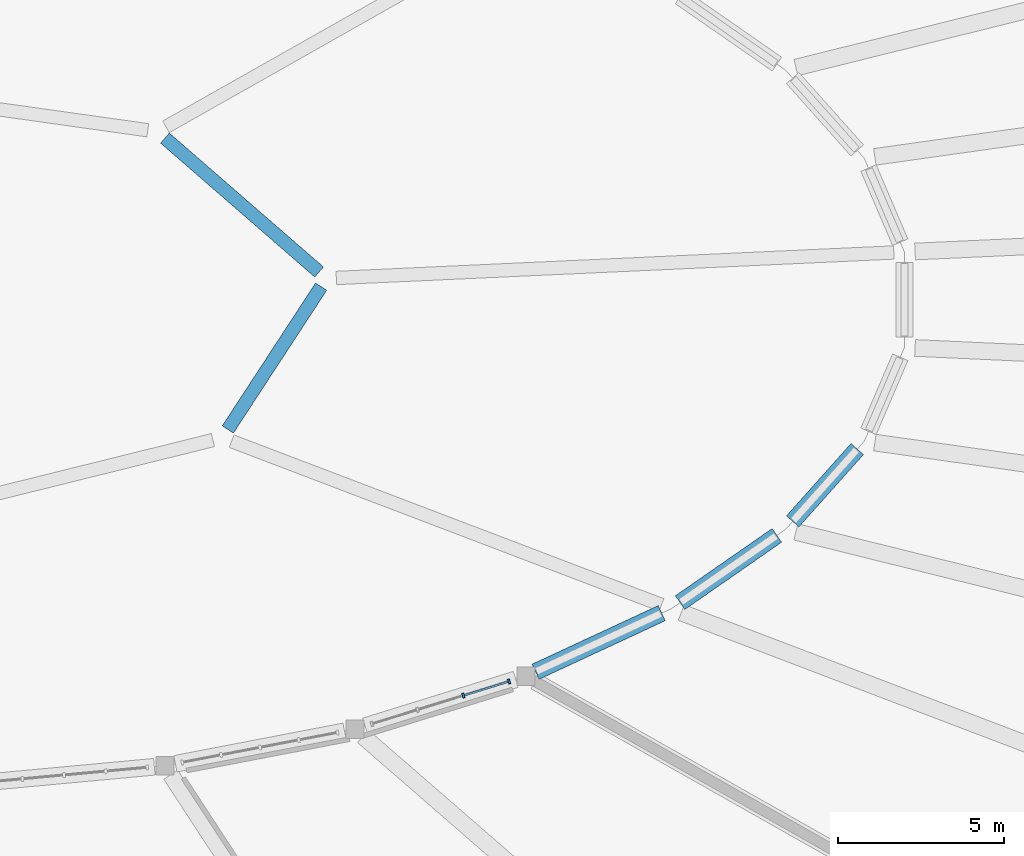
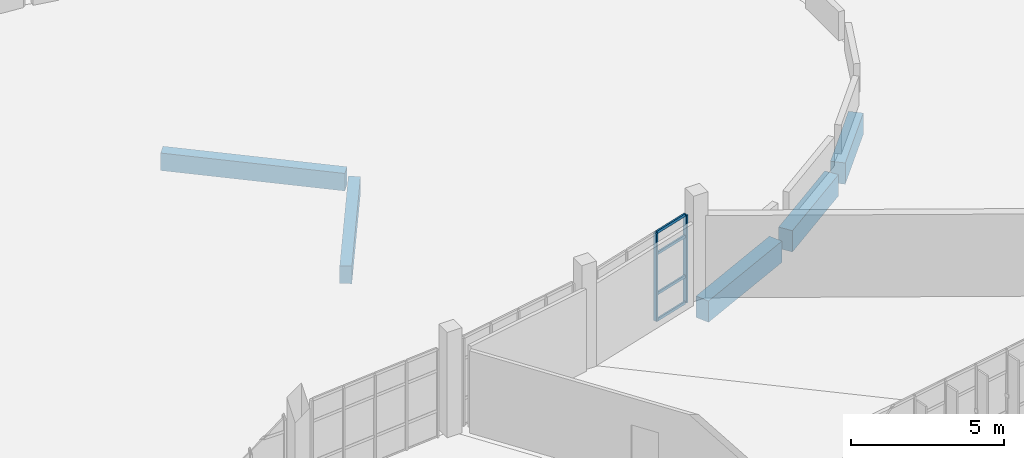
# One storey, part 45 of 142: 6 members, 5 beams, 1 element without a shape of its own.
"""IFC4 building model written with IfcOpenShell, lengths in metres."""

from ifc_helpers import new_model, si_unit, direction, frame, origin, origin_2d, place, context, subcontext, project, spatial, rectangle, extrude, material, layer, layer_set, material_profile, profile_set, type_object, element, aggregate, save


model = new_model("IFC4")

# Units and contexts
model_context = context("Model", 3, precision=1e-05, world=origin(), true_north=direction((0.0, 1.0)))
body_context = subcontext(model_context, "Body", "Model", "MODEL_VIEW")
ifc_project = project(units=[si_unit("LENGTHUNIT", "METRE"), si_unit("AREAUNIT", "SQUARE_METRE"), si_unit("VOLUMEUNIT", "CUBIC_METRE"), si_unit("PLANEANGLEUNIT", "RADIAN"), si_unit("MASSUNIT", "GRAM", prefix="KILO")], contexts=[model_context])

# Site, building, storey
site_placement = place(None, origin())
site = spatial("IfcSite", under=ifc_project, at=site_placement, CompositionType="ELEMENT")
building_placement = place(site_placement, origin())
building = spatial("IfcBuilding", under=site, at=building_placement, Name="Corvandel Quay Wholesale Market", CompositionType="ELEMENT")
storey_placement = place(building_placement, frame((0.0, 0.0, 10.800048828125)))
storey = spatial("IfcBuildingStorey", under=building, at=storey_placement, Name="L02", CompositionType="ELEMENT", Elevation=10.800048828125)

# Curtain wall, members
ifc_material_1 = material(Name="Bronze anodised aluminium and low-E insulated glazing", Category="aluminium")
ifc_layer = layer(ifc_material_1, 0.174072265625)
ifc_layer_set = layer_set([ifc_layer], Name="Bronze anodised aluminium and low-E insulated glazing")
curtain_wall_type = type_object("IfcCurtainWallType", Name="Stick Curtain Wall System CW12 H4080", PredefinedType="NOTDEFINED", material=ifc_layer_set)
curtain_wall_placement = place(storey_placement, origin())
curtain_wall = element("IfcCurtainWall", 1, at=curtain_wall_placement, inside=storey, type_object=curtain_wall_type, Name="Curtain Wall CW-0124", PredefinedType="NOTDEFINED")
ifc_material_2 = material(Name="Anodised aluminium 6063-T6", Category="aluminium")
ifc_material_profile_1 = material_profile(ifc_material_2, rectangle(XDim=0.06494140625, YDim=0.14990234375, at=origin_2d()), Name="ALU-MUL-65x150")
ifc_profile_set_1 = profile_set([ifc_material_profile_1], Name="Anodised aluminium 6063-T6")
member_type_1 = type_object("IfcMemberType", Name="Curtain Wall Mullion ML02 65x150", PredefinedType="MULLION", material=ifc_profile_set_1)
member_1_placement = place(storey_placement, frame((132.1103515625, 104.107421875, 0.0), z_axis=(0.0, 0.0, 1.0), x_axis=(0.95507168618, 0.296374888035, 0.0)))
member_1 = element("IfcMember", 2, at=member_1_placement, type_object=member_type_1, Name="Mullion CW-0124-M02", PredefinedType="MULLION", context=body_context, shape_type="SweptSolid", body=[
    extrude(rectangle(XDim=0.06494140625, YDim=0.14990234375, at=origin_2d()), origin(), (0.0, 0.0, 1.0), 3.5),
])
member_2_placement = place(storey_placement, frame((133.48486328125, 104.533935546875, 0.0), z_axis=(0.0, 0.0, 1.0), x_axis=(0.95507168618, 0.296374888035, 0.0)))
member_2 = element("IfcMember", 3, at=member_2_placement, type_object=member_type_1, Name="Mullion CW-0124-M03", PredefinedType="MULLION", context=body_context, shape_type="SweptSolid", body=[
    extrude(rectangle(XDim=0.06494140625, YDim=0.14990234375, at=origin_2d()), origin(), (0.0, 0.0, 1.0), 3.5),
])
ifc_material_profile_2 = material_profile(ifc_material_2, rectangle(XDim=0.06005859375, YDim=0.110107421875, at=origin_2d()), Name="ALU-TRN-60x110")
ifc_profile_set_2 = profile_set([ifc_material_profile_2], Name="Anodised aluminium 6063-T6")
member_type_2 = type_object("IfcMemberType", Name="Curtain Wall Transom TR02 60x110", PredefinedType="USERDEFINED", material=ifc_profile_set_2)
member_3_placement = place(storey_placement, frame((132.141357421875, 104.116943359375, 0.0), z_axis=(0.955034652569, 0.296494202965, 0.0), x_axis=(-0.296494202965, 0.955034652569, 0.0)))
member_3 = element("IfcMember", 4, at=member_3_placement, type_object=member_type_2, Name="Transom CW-0124-T02-0", ObjectType="TRANSOM", PredefinedType="USERDEFINED", context=body_context, shape_type="SweptSolid", body=[
    extrude(rectangle(XDim=0.06005859375, YDim=0.110107421875, at=origin_2d()), origin(), (0.0, 0.0, 1.0), 1.374267578125),
])
member_4_placement = place(storey_placement, frame((132.141357421875, 104.116943359375, 1.050048828125), z_axis=(0.955034652569, 0.296494202965, 0.0), x_axis=(-0.296494202965, 0.955034652569, 0.0)))
member_4 = element("IfcMember", 5, at=member_4_placement, type_object=member_type_2, Name="Transom CW-0124-T02-1", ObjectType="TRANSOM", PredefinedType="USERDEFINED", context=body_context, shape_type="SweptSolid", body=[
    extrude(rectangle(XDim=0.06005859375, YDim=0.110107421875, at=origin_2d()), origin(), (0.0, 0.0, 1.0), 1.374267578125),
])
member_5_placement = place(storey_placement, frame((132.141357421875, 104.116943359375, 2.64990234375), z_axis=(0.955034652569, 0.296494202965, 0.0), x_axis=(-0.296494202965, 0.955034652569, 0.0)))
member_5 = element("IfcMember", 6, at=member_5_placement, type_object=member_type_2, Name="Transom CW-0124-T02-2", ObjectType="TRANSOM", PredefinedType="USERDEFINED", context=body_context, shape_type="SweptSolid", body=[
    extrude(rectangle(XDim=0.06005859375, YDim=0.110107421875, at=origin_2d()), origin(), (0.0, 0.0, 1.0), 1.374267578125),
])
member_6_placement = place(storey_placement, frame((132.141357421875, 104.116943359375, 3.5), z_axis=(0.955034652569, 0.296494202965, 0.0), x_axis=(-0.296494202965, 0.955034652569, 0.0)))
member_6 = element("IfcMember", 7, at=member_6_placement, type_object=member_type_2, Name="Transom CW-0124-T02-3", ObjectType="TRANSOM", PredefinedType="USERDEFINED", context=body_context, shape_type="SweptSolid", body=[
    extrude(rectangle(XDim=0.06005859375, YDim=0.110107421875, at=origin_2d()), origin(), (0.0, 0.0, 1.0), 1.374267578125),
])
aggregate(curtain_wall, [member_1, member_2, member_3, member_4, member_5, member_6])

# Beams
ifc_material_3 = material(Name="Precast concrete C45/55", Category="concrete")
ifc_material_profile_3 = material_profile(ifc_material_3, rectangle(XDim=0.5, YDim=0.85009765625, at=origin_2d()), Name="PC-GIR-500x850")
ifc_profile_set_3 = profile_set([ifc_material_profile_3], Name="Precast concrete C45/55")
beam_type_1 = type_object("IfcBeamType", Name="Fish Hall Radial Girder G04 500x850", PredefinedType="USERDEFINED", material=ifc_profile_set_3)
beam_1_placement = place(storey_placement, frame((134.28125, 104.82568359375, -0.7451171875), z_axis=(0.907007372717, 0.42111474189, 0.0), x_axis=(-0.42111474189, 0.907007372717, 0.0)))
element("IfcBeam", 8, at=beam_1_placement, inside=storey, type_object=beam_type_1, Name="Beam BM-0731", ObjectType="GIRDER", PredefinedType="USERDEFINED", context=body_context, shape_type="SweptSolid", body=[
    extrude(rectangle(XDim=0.5, YDim=0.85009765625, at=origin_2d()), origin(), (0.0, 0.0, 1.0), 4.176025390625),
])
beam_2_placement = place(storey_placement, frame((138.621826171875, 106.901611328125, -0.7451171875), z_axis=(0.821316990169, 0.570472086662, 0.0), x_axis=(-0.570472086662, 0.821316990169, 0.0)))
element("IfcBeam", 9, at=beam_2_placement, inside=storey, type_object=beam_type_1, Name="Beam BM-0738", ObjectType="GIRDER", PredefinedType="USERDEFINED", context=body_context, shape_type="SweptSolid", body=[
    extrude(rectangle(XDim=0.5, YDim=0.85009765625, at=origin_2d()), origin(), (0.0, 0.0, 1.0), 3.538818359375),
])
beam_3_placement = place(storey_placement, frame((142.00390625, 109.341796875, -0.7451171875), z_axis=(0.665705733579, 0.746214363491, 0.0), x_axis=(-0.746214363491, 0.665705733579, 0.0)))
element("IfcBeam", 10, at=beam_3_placement, inside=storey, type_object=beam_type_1, Name="Beam BM-0745", ObjectType="GIRDER", PredefinedType="USERDEFINED", context=body_context, shape_type="SweptSolid", body=[
    extrude(rectangle(XDim=0.5, YDim=0.85009765625, at=origin_2d()), origin(), (0.0, 0.0, 1.0), 2.9111328125),
])
ifc_material_profile_4 = material_profile(ifc_material_3, rectangle(XDim=0.39990234375, YDim=0.699951171875, at=origin_2d()), Name="PC-GIR-400x700")
ifc_profile_set_4 = profile_set([ifc_material_profile_4], Name="Precast concrete C45/55")
beam_type_2 = type_object("IfcBeamType", Name="Roof Deck Primary Girder G07 400x700", PredefinedType="USERDEFINED", material=ifc_profile_set_4)
beam_4_placement = place(storey_placement, frame((127.77734375, 116.83349609375, -0.550048828125), z_axis=(-0.754961033056, 0.655769653588, 0.0), x_axis=(-0.655769653588, -0.754961033056, 0.0)))
element("IfcBeam", 11, at=beam_4_placement, inside=storey, type_object=beam_type_2, Name="Beam BM-0492", ObjectType="GIRDER", PredefinedType="USERDEFINED", context=body_context, shape_type="SweptSolid", body=[
    extrude(rectangle(XDim=0.39990234375, YDim=0.699951171875, at=origin_2d()), origin(), (0.0, 0.0, 1.0), 6.133544921875),
])
beam_5_placement = place(storey_placement, frame((125.036376953125, 112.10302734375, -0.550048828125), z_axis=(0.546869331525, 0.837217972954, 0.0), x_axis=(-0.837217972954, 0.546869331525, 0.0)))
element("IfcBeam", 12, at=beam_5_placement, inside=storey, type_object=beam_type_2, Name="Beam BM-0520", ObjectType="GIRDER", PredefinedType="USERDEFINED", context=body_context, shape_type="SweptSolid", body=[
    extrude(rectangle(XDim=0.39990234375, YDim=0.699951171875, at=origin_2d()), origin(), (0.0, 0.0, 1.0), 5.124267578125),
])

save(model, "model.ifc")
